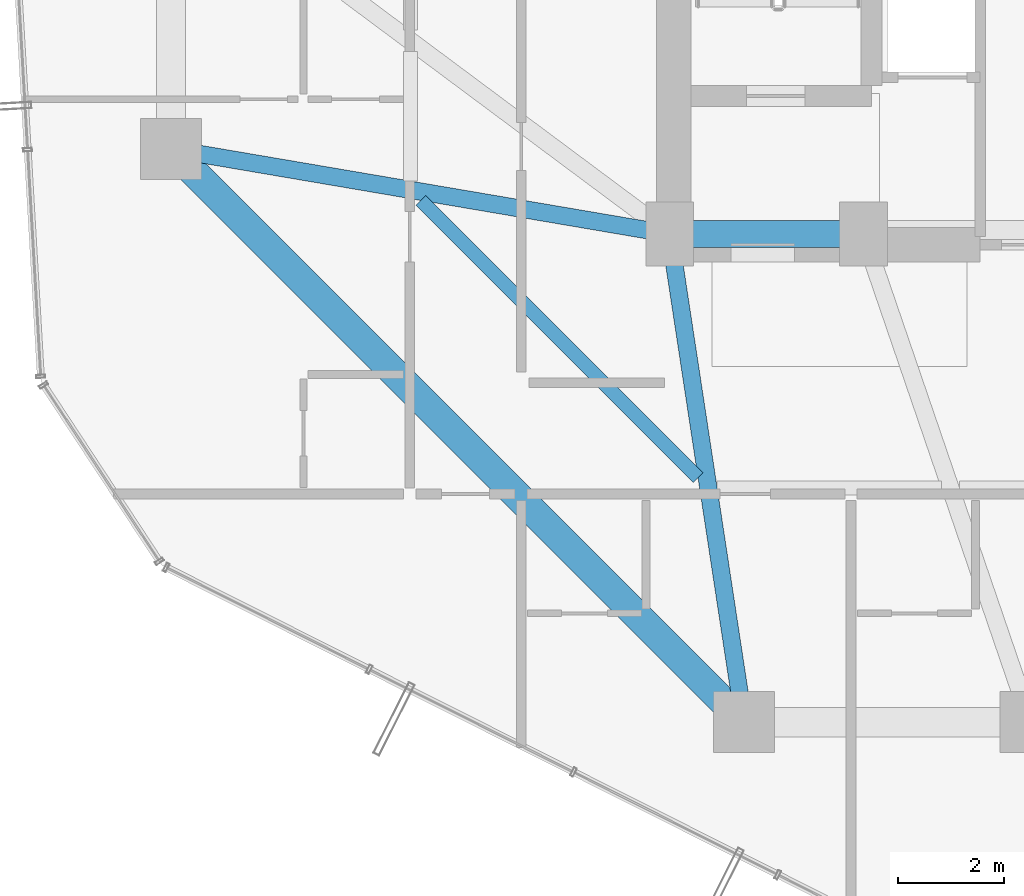
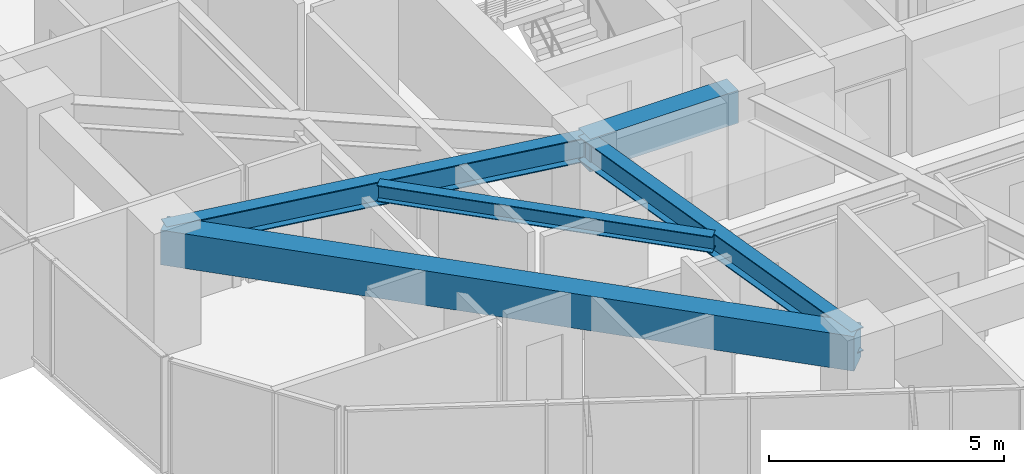
# One storey, part 6 of 33: 5 beams.
"""IFC4 building model written with IfcOpenShell, lengths in metres."""

from ifc_helpers import new_model, si_unit, direction, frame, origin, origin_2d, place, context, subcontext, project, spatial, rectangle, i_section, extrude, material, material_profile, profile_set, type_object, element, save


model = new_model("IFC4")

# Units and contexts
model_context = context("Model", 3, precision=1e-05, world=origin(), true_north=direction((0.0, 1.0)))
body_context = subcontext(model_context, "Body", "Model", "MODEL_VIEW")
ifc_project = project(units=[si_unit("LENGTHUNIT", "METRE"), si_unit("AREAUNIT", "SQUARE_METRE"), si_unit("VOLUMEUNIT", "CUBIC_METRE"), si_unit("PLANEANGLEUNIT", "RADIAN"), si_unit("MASSUNIT", "GRAM", prefix="KILO")], contexts=[model_context])

# Site, building, storey
site_placement = place(None, origin())
site = spatial("IfcSite", under=ifc_project, at=site_placement, CompositionType="ELEMENT")
building_placement = place(site_placement, origin())
building = spatial("IfcBuilding", under=site, at=building_placement, Name="Veraguas Prism Commons", CompositionType="ELEMENT")
storey_placement = place(building_placement, frame((0.0, 0.0, 139.25)))
storey = spatial("IfcBuildingStorey", under=building, at=storey_placement, Name="L39", CompositionType="ELEMENT", Elevation=139.25)

# Beams
ifc_material_1 = material(Name="Concrete C50/60", Category="concrete")
ifc_material_profile_1 = material_profile(ifc_material_1, rectangle(XDim=0.5, YDim=0.85009765625, at=origin_2d()), Name="RC500X850")
ifc_profile_set_1 = profile_set([ifc_material_profile_1], Name="Concrete C50/60")
beam_type_1 = type_object("IfcBeamType", Name="Core Coupling Beam RC 500x850", PredefinedType="BEAM", material=ifc_profile_set_1)
beam_1_placement = place(storey_placement, frame((17.199951171875, 17.0, 2.574951171875), z_axis=(1.0, 0.0, 0.0), x_axis=(0.0, 1.0, 0.0)))
element("IfcBeam", 1, at=beam_1_placement, inside=storey, type_object=beam_type_1, Name="Core Coupling Beam L39-CRS1", PredefinedType="BEAM", context=body_context, shape_type="SweptSolid", body=[
    extrude(rectangle(XDim=0.5, YDim=0.85009765625, at=origin_2d()), origin(), (0.0, 0.0, 1.0), 3.650146484375),
])
ifc_material_2 = material(Name="Steel ASTM A992 Grade 50", Category="steel")
ifc_material_profile_2 = material_profile(ifc_material_2, i_section(OverallWidth=0.260986328125, OverallDepth=0.419921875, WebThickness=0.01171875, FlangeThickness=0.019287109375, at=origin_2d()), Name="W410X114")
ifc_profile_set_2 = profile_set([ifc_material_profile_2], Name="Steel ASTM A992 Grade 50")
beam_type_2 = type_object("IfcBeamType", Name="Lower Floor Joist W410x114", PredefinedType="JOIST", material=ifc_profile_set_2)
beam_2_placement = place(storey_placement, frame((12.510009765625, 17.634033203125, 2.7900390625), z_axis=(0.707090260193, -0.707123301794, 0.0), x_axis=(0.707123301794, 0.707090260193, 0.0)))
element("IfcBeam", 2, at=beam_2_placement, inside=storey, type_object=beam_type_2, Name="Composite Floor Joist L39-JS09", PredefinedType="JOIST", context=body_context, shape_type="SweptSolid", body=[
    extrude(i_section(OverallWidth=0.260986328125, OverallDepth=0.419921875, WebThickness=0.01171875, FlangeThickness=0.019287109375, at=origin_2d()), origin(), (0.0, 0.0, 1.0), 7.388916015625),
])
ifc_material_profile_3 = material_profile(ifc_material_1, rectangle(XDim=0.550048828125, YDim=0.89990234375, at=origin_2d()), Name="RC550X900")
ifc_profile_set_3 = profile_set([ifc_material_profile_3], Name="Concrete C50/60")
beam_type_3 = type_object("IfcBeamType", Name="Perimeter Spandrel Lower RC 550x900", PredefinedType="SPANDREL", material=ifc_profile_set_3)
beam_3_placement = place(storey_placement, frame((7.800048828125, 18.60009765625, 2.550048828125), z_axis=(0.707106781187, -0.707106781187, 0.0), x_axis=(0.707106781187, 0.707106781187, 0.0)))
element("IfcBeam", 3, at=beam_3_placement, inside=storey, type_object=beam_type_3, Name="Perimeter Spandrel Beam L39-SP09", PredefinedType="SPANDREL", context=body_context, shape_type="SweptSolid", body=[
    extrude(rectangle(XDim=0.550048828125, YDim=0.89990234375, at=origin_2d()), origin(), (0.0, 0.0, 1.0), 15.273681640625),
])
ifc_material_profile_4 = material_profile(ifc_material_2, i_section(OverallWidth=0.327880859375, OverallDepth=0.6220703125, WebThickness=0.015380859375, FlangeThickness=0.0244140625, at=origin_2d()), Name="W610X195")
ifc_profile_set_4 = profile_set([ifc_material_profile_4], Name="Steel ASTM A992 Grade 50")
beam_type_4 = type_object("IfcBeamType", Name="Zone 2 Radial Girder W610x195", PredefinedType="BEAM", material=ifc_profile_set_4)
beam_4_placement = place(storey_placement, frame((7.800048828125, 18.60009765625, 2.68896484375), z_axis=(0.985819187151, -0.1678109956, 0.0), x_axis=(0.1678109956, 0.985819187151, 0.0)))
element("IfcBeam", 4, at=beam_4_placement, inside=storey, type_object=beam_type_4, Name="Radial Floor Girder L39-RD09", PredefinedType="BEAM", context=body_context, shape_type="SweptSolid", body=[
    extrude(i_section(OverallWidth=0.327880859375, OverallDepth=0.6220703125, WebThickness=0.015380859375, FlangeThickness=0.0244140625, at=origin_2d()), origin(), (0.0, 0.0, 1.0), 9.53515625),
])
beam_5_placement = place(storey_placement, frame((18.60009765625, 7.800048828125, 2.68896484375), z_axis=(-0.150458162136, 0.98861637729, 0.0), x_axis=(-0.98861637729, -0.150458162136, 0.0)))
element("IfcBeam", 5, at=beam_5_placement, inside=storey, type_object=beam_type_4, Name="Radial Floor Girder L39-RD10", PredefinedType="BEAM", context=body_context, shape_type="SweptSolid", body=[
    extrude(i_section(OverallWidth=0.327880859375, OverallDepth=0.6220703125, WebThickness=0.015380859375, FlangeThickness=0.0244140625, at=origin_2d()), origin(), (0.0, 0.0, 1.0), 9.305908203125),
])

save(model, "model.ifc")
